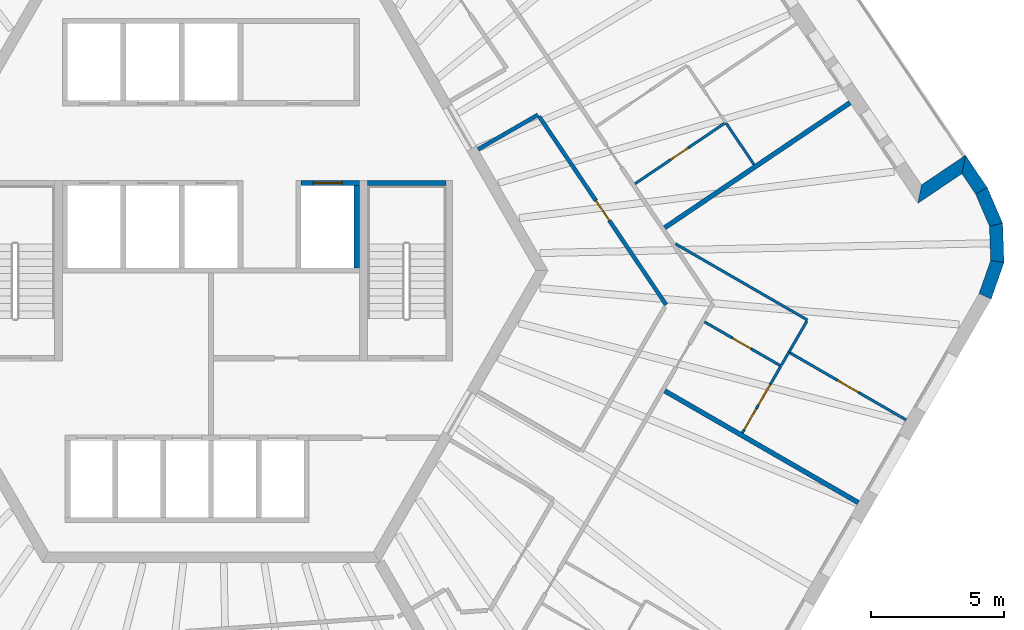
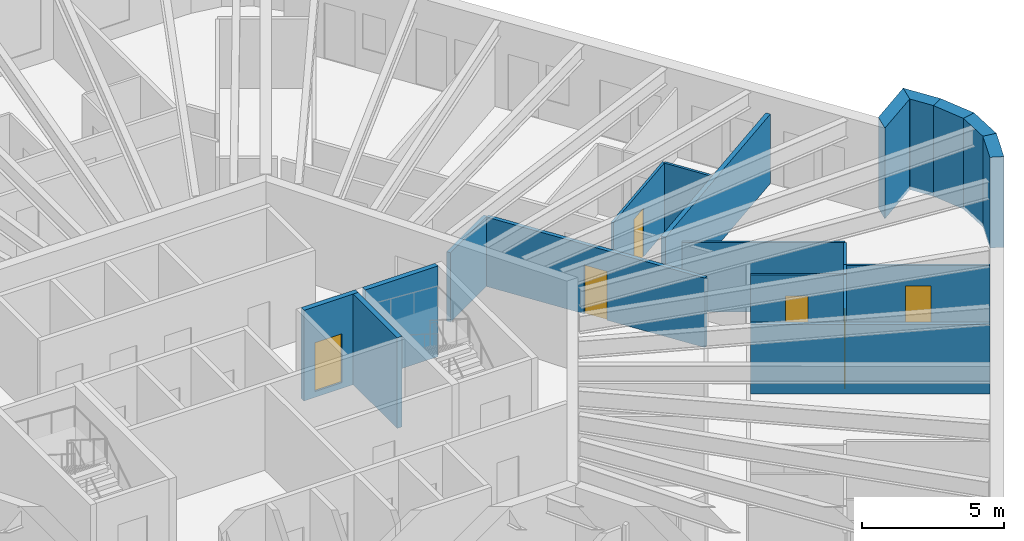
# One storey, part 7 of 12: 20 walls, 7 doors, 7 openings.
"""IFC4 building model written with IfcOpenShell, lengths in metres."""

from ifc_helpers import new_model, si_unit, direction, frame, frame_2d, origin, place, context, subcontext, project, spatial, polyline, rectangle, outline, extrude, material, layer, layer_set, type_object, element, fill, save


model = new_model("IFC4")

# Units and contexts
model_context = context("Model", 3, precision=1e-05, world=origin(), true_north=direction((0.0, 1.0)))
body_context = subcontext(model_context, "Body", "Model", "MODEL_VIEW")
ifc_project = project(units=[si_unit("LENGTHUNIT", "METRE"), si_unit("AREAUNIT", "SQUARE_METRE"), si_unit("VOLUMEUNIT", "CUBIC_METRE"), si_unit("PLANEANGLEUNIT", "RADIAN"), si_unit("MASSUNIT", "GRAM", prefix="KILO")], contexts=[model_context])

# Site, building, storey
site_placement = place(None, origin())
site = spatial("IfcSite", under=ifc_project, at=site_placement, CompositionType="ELEMENT")
building_placement = place(site_placement, origin())
building = spatial("IfcBuilding", under=site, at=building_placement, Name="Tarnside Tower", CompositionType="ELEMENT")
storey_placement = place(building_placement, frame((0.0, 0.0, 299.10009765625)))
storey = spatial("IfcBuildingStorey", under=building, at=storey_placement, Name="L72", CompositionType="ELEMENT", Elevation=299.10009765625)

# Walls
ifc_material_1 = material(Name="Gypsum board partition on steel studs", Category="steel")
ifc_layer_1 = layer(ifc_material_1, 0.10009765625)
ifc_layer_set_1 = layer_set([ifc_layer_1], Name="Bathroom wall 100")
wall_type_1 = type_object("IfcWallType", Name="Bathroom wall 100", PredefinedType="PARTITIONING", material=ifc_layer_set_1)
wall_1_placement = place(storey_placement, frame((17.50390625, 1.0078125, 0.0), z_axis=(0.0, 0.0, 1.0), x_axis=(0.866022112445, -0.500005700723, 0.0)))
element("IfcWall", 1, at=wall_1_placement, inside=storey, type_object=wall_type_1, Name="Bathroom wall 23149", PredefinedType="PARTITIONING", context=body_context, shape_type="SweptSolid", body=[
    extrude(rectangle(XDim=5.7451171875, YDim=0.10009765625, at=frame_2d((2.87255859375, 0.0))), origin(), (0.0, 0.0, 1.0), 2.98779296875),
])
wall_2_placement = place(storey_placement, frame((22.454345703125, -1.907958984375, 0.0), z_axis=(0.0, 0.0, 1.0), x_axis=(-0.500003806764, -0.866023205937, 0.0)))
element("IfcWall", 2, at=wall_2_placement, inside=storey, type_object=wall_type_1, Name="Bathroom wall 23150", PredefinedType="PARTITIONING", context=body_context, shape_type="SweptSolid", body=[
    extrude(rectangle(XDim=1.35205078125, YDim=0.10009765625, at=frame_2d((0.676025390625, 0.0))), origin(), (0.0, 0.0, 1.0), 2.98779296875),
])

# Wall, opening, door
wall_3_placement = place(storey_placement, frame((21.479248046875, -3.5966796875, 0.0), z_axis=(0.0, 0.0, 1.0), x_axis=(-0.866033959199, 0.499985181294, 0.0)))
wall_3 = element("IfcWall", 3, at=wall_3_placement, inside=storey, type_object=wall_type_1, Name="Bathroom wall 23154", PredefinedType="PARTITIONING", context=body_context, shape_type="SweptSolid", body=[
    extrude(rectangle(XDim=3.32470703125, YDim=0.10009765625, at=frame_2d((1.662353515625, 0.0))), origin(), (0.0, 0.0, 1.0), 2.98779296875),
])
opening_1_placement = place(wall_3_placement, frame((1.300048828125, 0.0, 0.0)))
opening_1 = element("IfcOpeningElement", 4, at=opening_1_placement, cuts=wall_3, Name="Opening D-B1", PredefinedType="OPENING", context=body_context, shape_type="SweptSolid", body=[
    extrude(rectangle(XDim=0.800048828125, YDim=2.10009765625, at=frame_2d((0.39990234375, 1.050048828125))), frame((0.0, 0.06005859375, 0.0), z_axis=(0.0, -1.0, 0.0), x_axis=(1.0, 0.0, 0.0)), (0.0, 0.0, 1.0), 0.1201171875),
])
ifc_material_2 = material(Name="Timber door leaf", Category="wood")
door_type_1 = type_object("IfcDoorType", Name="Bathroom door 800", OperationType="NOTDEFINED", PredefinedType="DOOR", material=ifc_material_2)
door_1_placement = place(opening_1_placement, origin())
door_1 = element("IfcDoor", 5, at=door_1_placement, inside=storey, type_object=door_type_1, Name="Bathroom door 23047", OperationType="SINGLE_SWING_LEFT", OverallHeight=2.10009765625, OverallWidth=0.800048828125, PredefinedType="DOOR", context=body_context, shape_type="SweptSolid", body=[
    extrude(rectangle(XDim=0.800048828125, YDim=2.10009765625, at=frame_2d((0.39990234375, 1.050048828125))), frame((0.0, 0.02490234375, 0.0), z_axis=(0.0, -1.0, 0.0), x_axis=(1.0, 0.0, 0.0)), (0.0, 0.0, 1.0), 0.050048828125),
])
fill(opening_1, door_1)

# Wall
wall_4_placement = place(storey_placement, frame((21.50341796875, -3.55517578125, 0.0), z_axis=(0.0, 0.0, 1.0), x_axis=(0.499850094852, 0.866111934265, 0.0)))
element("IfcWall", 6, at=wall_4_placement, inside=storey, type_object=wall_type_1, Name="Bathroom wall 23156", PredefinedType="PARTITIONING", context=body_context, shape_type="SweptSolid", body=[
    extrude(rectangle(XDim=0.552001953125, YDim=0.10009765625, at=frame_2d((0.27587890625, 0.0))), origin(), (0.0, 0.0, 1.0), 2.98779296875),
])

# Wall, opening, door
wall_5_placement = place(storey_placement, frame((15.978515625, 3.269287109375, 0.0), z_axis=(0.0, 0.0, 1.0), x_axis=(0.829051710838, 0.559171942033, 0.0)))
wall_5 = element("IfcWall", 7, at=wall_5_placement, inside=storey, type_object=wall_type_1, Name="Bathroom wall 23161", PredefinedType="PARTITIONING", context=body_context, shape_type="SweptSolid", body=[
    extrude(rectangle(XDim=4.125, YDim=0.10009765625, at=frame_2d((2.0625, 0.0))), origin(), (0.0, 0.0, 1.0), 2.98779296875),
])
opening_2_placement = place(wall_5_placement, frame((1.625, 0.0, 0.0)))
opening_2 = element("IfcOpeningElement", 8, at=opening_2_placement, cuts=wall_5, Name="Opening D-B1", PredefinedType="OPENING", context=body_context, shape_type="SweptSolid", body=[
    extrude(rectangle(XDim=0.800048828125, YDim=2.10009765625, at=frame_2d((0.39990234375, 1.050048828125))), frame((0.0, 0.06005859375, 0.0), z_axis=(0.0, -1.0, 0.0), x_axis=(1.0, 0.0, 0.0)), (0.0, 0.0, 1.0), 0.1201171875),
])
door_2_placement = place(opening_2_placement, origin())
door_2 = element("IfcDoor", 9, at=door_2_placement, inside=storey, type_object=door_type_1, Name="Bathroom door 23052", OperationType="SINGLE_SWING_RIGHT", OverallHeight=2.10009765625, OverallWidth=0.800048828125, PredefinedType="DOOR", context=body_context, shape_type="SweptSolid", body=[
    extrude(rectangle(XDim=0.800048828125, YDim=2.10009765625, at=frame_2d((0.39990234375, 1.050048828125))), frame((0.0, 0.02490234375, 0.0), z_axis=(0.0, -1.0, 0.0), x_axis=(1.0, 0.0, 0.0)), (0.0, 0.0, 1.0), 0.050048828125),
])
fill(opening_2, door_2)

# Walls
wall_6_placement = place(storey_placement, frame((20.46630859375, 3.992431640625, 0.0), z_axis=(0.0, 0.0, 1.0), x_axis=(-0.559110227504, 0.829093332201, 0.0)))
element("IfcWall", 10, at=wall_6_placement, inside=storey, type_object=wall_type_1, Name="Bathroom wall 23163", PredefinedType="PARTITIONING", context=body_context, shape_type="SweptSolid", body=[
    extrude(rectangle(XDim=1.86181640625, YDim=0.10009765625, at=frame_2d((0.930908203125, 0.0))), origin(), (0.0, 0.0, 1.0), 2.98779296875),
])
ifc_layer_2 = layer(ifc_material_1, 0.14990234375)
ifc_layer_set_2 = layer_set([ifc_layer_2], Name="Corridor wall 150 EI 60")
wall_type_2 = type_object("IfcWallType", Name="Corridor wall 150 EI 60", PredefinedType="PARTITIONING", material=ifc_layer_set_2)
wall_7_placement = place(storey_placement, frame((10.065673828125, 4.565673828125, 0.0), z_axis=(0.0, 0.0, 1.0), x_axis=(0.866034402474, 0.499984413489, 0.0)))
element("IfcWall", 11, at=wall_7_placement, inside=storey, type_object=wall_type_2, Name="Corridor wall 23069", PredefinedType="PARTITIONING", context=body_context, shape_type="SweptSolid", body=[
    extrude(rectangle(XDim=2.6083984375, YDim=0.14990234375, at=frame_2d((1.30419921875, 0.0))), origin(), (0.0, 0.0, 1.0), 2.98779296875),
])

# Wall, opening, door
wall_8_placement = place(storey_placement, frame((12.36669921875, 5.8076171875, 0.0), z_axis=(0.0, 0.0, 1.0), x_axis=(0.559187256666, -0.829041381345, 0.0)))
wall_8 = element("IfcWall", 12, at=wall_8_placement, inside=storey, type_object=wall_type_2, Name="Corridor wall 23070", PredefinedType="PARTITIONING", context=body_context, shape_type="SweptSolid", body=[
    extrude(rectangle(XDim=8.560302734375, YDim=0.14990234375, at=frame_2d((4.2802734375, 0.0))), origin(), (0.0, 0.0, 1.0), 2.98779296875),
])
opening_3_placement = place(wall_8_placement, frame((3.830078125, 0.0, 0.0)))
opening_3 = element("IfcOpeningElement", 13, at=opening_3_placement, cuts=wall_8, Name="Opening D-S1", PredefinedType="OPENING", context=body_context, shape_type="SweptSolid", body=[
    extrude(rectangle(XDim=0.89990234375, YDim=2.10009765625, at=frame_2d((0.449951171875, 1.050048828125))), frame((0.0, 0.0849609375, 0.0), z_axis=(0.0, -1.0, 0.0), x_axis=(1.0, 0.0, 0.0)), (0.0, 0.0, 1.0), 0.169921875),
])
door_type_2 = type_object("IfcDoorType", Name="Service room door 900 FD30S", OperationType="NOTDEFINED", PredefinedType="DOOR", material=ifc_material_2)
door_3_placement = place(opening_3_placement, origin())
door_3 = element("IfcDoor", 14, at=door_3_placement, inside=storey, type_object=door_type_2, Name="Service door 23062", OperationType="SINGLE_SWING_RIGHT", OverallHeight=2.10009765625, OverallWidth=0.89990234375, PredefinedType="DOOR", context=body_context, shape_type="SweptSolid", body=[
    extrude(rectangle(XDim=0.89990234375, YDim=2.10009765625, at=frame_2d((0.449951171875, 1.050048828125))), frame((0.0, 0.02490234375, 0.0), z_axis=(0.0, -1.0, 0.0), x_axis=(1.0, 0.0, 0.0)), (0.0, 0.0, 1.0), 0.050048828125),
])
fill(opening_3, door_3)

# Walls
ifc_layer_3 = layer(ifc_material_1, 0.179931640625)
ifc_layer_set_3 = layer_set([ifc_layer_3], Name="Demising wall 180 EI 60")
wall_type_3 = type_object("IfcWallType", Name="Demising wall 180 EI 60", PredefinedType="PARTITIONING", material=ifc_layer_set_3)
for number, where, z_axis, x_axis, name in (
    (15, (24.39599609375, -8.744873046875, 0.0), (0.0, 0.0, 1.0), (-0.866014270972, 0.500019282102, 0.0), "Demising wall 23142"),
    (16, (24.08154296875, 6.322509765625, 0.0), (0.0, 0.0, 1.0), (-0.829037762759, -0.559192621481, 0.0), "Demising wall 23152"),
):
    element("IfcWall", number, at=place(storey_placement, frame(where, z_axis=z_axis, x_axis=x_axis)), inside=storey, type_object=wall_type_3, Name=name, PredefinedType="PARTITIONING", context=body_context, shape_type="SweptSolid", body=[
        extrude(rectangle(XDim=8.425048828125, YDim=0.179931640625, at=frame_2d((4.21240234375, 0.0))), origin(), (0.0, 0.0, 1.0), 2.98779296875),
    ])

# Wall, opening, door
ifc_material_3 = material(Name="Concrete C40/50", Category="concrete")
ifc_layer_4 = layer(ifc_material_3, 0.199951171875)
ifc_layer_set_4 = layer_set([ifc_layer_4], Name="Lift shaft wall 200 C40/50")
wall_type_4 = type_object("IfcWallType", Name="Lift shaft wall 200 C40/50", PredefinedType="SHEAR", material=ifc_layer_set_4)
wall_9_placement = place(storey_placement, frame((3.39990234375, 3.300048828125, -0.25), z_axis=(0.0, 0.0, 1.0), x_axis=(1.0, 0.0, 0.0)))
wall_9 = element("IfcWall", 17, at=wall_9_placement, inside=storey, type_object=wall_type_4, Name="L72 lift shaft front wall R2 2", PredefinedType="SHEAR", context=body_context, shape_type="SweptSolid", body=[
    extrude(rectangle(XDim=2.2001953125, YDim=0.199951171875, at=frame_2d((1.10009765625, 0.0))), origin(), (0.0, 0.0, 1.0), 3.89990234375),
])
opening_4_placement = place(wall_9_placement, frame((0.449951171875, 0.0, 0.25)))
opening_4 = element("IfcOpeningElement", 18, at=opening_4_placement, cuts=wall_9, Name="Opening LD", PredefinedType="OPENING", context=body_context, shape_type="SweptSolid", body=[
    extrude(rectangle(XDim=1.10009765625, YDim=2.10009765625, at=frame_2d((0.550048828125, 1.050048828125))), frame((0.0, 0.10986328125, 0.0), z_axis=(0.0, -1.0, 0.0), x_axis=(1.0, 0.0, 0.0)), (0.0, 0.0, 1.0), 0.219970703125),
])
ifc_material_4 = material(Name="Stainless steel", Category="steel")
door_type_3 = type_object("IfcDoorType", Name="Lift landing door 1100x2100", OperationType="NOTDEFINED", PredefinedType="DOOR", material=ifc_material_4)
door_4_placement = place(opening_4_placement, origin())
door_4 = element("IfcDoor", 19, at=door_4_placement, inside=storey, type_object=door_type_3, Name="Express sky-lobby shuttle 2 landing door L72", OperationType="SLIDING_TO_LEFT", OverallHeight=2.10009765625, OverallWidth=1.10009765625, PredefinedType="DOOR", context=body_context, shape_type="SweptSolid", body=[
    extrude(rectangle(XDim=1.10009765625, YDim=2.10009765625, at=frame_2d((0.550048828125, 1.050048828125))), frame((0.0, 0.02490234375, 0.0), z_axis=(0.0, -1.0, 0.0), x_axis=(1.0, 0.0, 0.0)), (0.0, 0.0, 1.0), 0.050048828125),
])
fill(opening_4, door_4)

# Walls
wall_10_placement = place(storey_placement, frame((5.5, 0.10009765625, -0.25), z_axis=(0.0, 0.0, 1.0), x_axis=(0.0, 1.0, 0.0)))
element("IfcWall", 20, at=wall_10_placement, inside=storey, type_object=wall_type_4, Name="L72 lift shaft partition R26", PredefinedType="SHEAR", context=body_context, shape_type="SweptSolid", body=[
    extrude(rectangle(XDim=3.099853515625, YDim=0.199951171875, at=frame_2d((1.5498046875, 0.0))), origin(), (0.0, 0.0, 1.0), 3.89990234375),
])
wall_11_placement = place(storey_placement, frame((5.89990234375, 3.300048828125, -0.25), z_axis=(0.0, 0.0, 1.0), x_axis=(1.0, 0.0, 0.0)))
element("IfcWall", 21, at=wall_11_placement, inside=storey, type_object=wall_type_4, Name="L72 stair 1 enclosure cap wall n", PredefinedType="SHEAR", context=body_context, shape_type="SweptSolid", body=[
    extrude(rectangle(XDim=2.9501953125, YDim=0.199951171875, at=frame_2d((1.47509765625, 0.0))), origin(), (0.0, 0.0, 1.0), 3.89990234375),
])
ifc_material_5 = material(Name="Dark zinc cladding")
ifc_layer_5 = layer(ifc_material_5, 0.10205078125)
ifc_material_6 = material(Name="Concrete C60/75 precast", Category="concrete")
ifc_layer_6 = layer(ifc_material_6, 0.298095703125)
ifc_material_7 = material(Name="Mineral wool insulation")
ifc_layer_7 = layer(ifc_material_7, 0.10009765625)
ifc_layer_set_5 = layer_set([ifc_layer_5, ifc_layer_6, ifc_layer_7], Name="Loggia wall 500 zinc faced")
wall_type_5 = type_object("IfcWallType", Name="Loggia wall 500 zinc faced", PredefinedType="SOLIDWALL", material=ifc_layer_set_5)
wall_12_placement = place(storey_placement, frame((29.034912109375, 3.00244140625, -0.150146484375), z_axis=(0.0, 0.0, 1.0), x_axis=(-0.559200218553, 0.829032638423, 0.0)))
element("IfcWall", 22, at=wall_12_placement, inside=storey, type_object=wall_type_5, Name="Tube wall L72 F6 stub 28", PredefinedType="SOLIDWALL", context=body_context, shape_type="SweptSolid", body=[
    extrude(outline(polyline([(-0.0234375, -0.25), (1.44970703125, -0.25), (0.94970703125, 0.25), (0.0234375, 0.25), (-0.0234375, -0.25)])), origin(), (0.0, 0.0, 1.0), 3.900146484375),
])
wall_13_placement = place(storey_placement, frame((28.364013671875, 3.9970703125, -0.150146484375), z_axis=(0.0, 0.0, 1.0), x_axis=(-0.829108975345, -0.5590870299, 0.0)))
element("IfcWall", 23, at=wall_13_placement, inside=storey, type_object=wall_type_5, Name="Tube wall L72 F6 return 29", PredefinedType="SOLIDWALL", context=body_context, shape_type="SweptSolid", body=[
    extrude(outline(polyline([(-0.25, -0.25), (1.75, -0.25), (2.25, 0.25), (0.25, 0.25), (-0.25, -0.25)])), origin(), (0.0, 0.0, 1.0), 3.900146484375),
])

# Wall, opening, door
ifc_layer_8 = layer(ifc_material_1, 0.10009765625)
ifc_layer_set_6 = layer_set([ifc_layer_8], Name="Partition 100")
wall_type_6 = type_object("IfcWallType", Name="Partition 100", PredefinedType="PARTITIONING", material=ifc_layer_set_6)
wall_14_placement = place(storey_placement, frame((21.822509765625, -3.10205078125, 0.0), z_axis=(0.0, 0.0, 1.0), x_axis=(0.866018134068, -0.500012591307, 0.0)))
wall_14 = element("IfcWall", 24, at=wall_14_placement, inside=storey, type_object=wall_type_6, Name="Partition wall 23151", PredefinedType="PARTITIONING", context=body_context, shape_type="SweptSolid", body=[
    extrude(rectangle(XDim=5.050048828125, YDim=0.10009765625, at=frame_2d((2.52490234375, 0.0))), origin(), (0.0, 0.0, 1.0), 2.98779296875),
])
opening_5_placement = place(wall_14_placement, frame((2.074951171875, 0.0, 0.0)))
opening_5 = element("IfcOpeningElement", 25, at=opening_5_placement, cuts=wall_14, Name="Opening D-I1", PredefinedType="OPENING", context=body_context, shape_type="SweptSolid", body=[
    extrude(rectangle(XDim=0.89990234375, YDim=2.10009765625, at=frame_2d((0.449951171875, 1.050048828125))), frame((0.0, 0.06005859375, 0.0), z_axis=(0.0, -1.0, 0.0), x_axis=(1.0, 0.0, 0.0)), (0.0, 0.0, 1.0), 0.1201171875),
])
door_type_4 = type_object("IfcDoorType", Name="Internal door 900", OperationType="NOTDEFINED", PredefinedType="DOOR", material=ifc_material_2)
door_5_placement = place(opening_5_placement, origin())
door_5 = element("IfcDoor", 26, at=door_5_placement, inside=storey, type_object=door_type_4, Name="Internal door 23057", OperationType="SINGLE_SWING_RIGHT", OverallHeight=2.10009765625, OverallWidth=0.89990234375, PredefinedType="DOOR", context=body_context, shape_type="SweptSolid", body=[
    extrude(rectangle(XDim=0.89990234375, YDim=2.10009765625, at=frame_2d((0.449951171875, 1.050048828125))), frame((0.0, 0.02490234375, 0.0), z_axis=(0.0, -1.0, 0.0), x_axis=(1.0, 0.0, 0.0)), (0.0, 0.0, 1.0), 0.050048828125),
])
fill(opening_5, door_5)

# Wall, openings, doors
wall_15_placement = place(storey_placement, frame((20.0244140625, -6.116943359375, 0.0), z_axis=(0.0, 0.0, 1.0), x_axis=(0.499935340648, 0.866062731661, 0.0)))
wall_15 = element("IfcWall", 27, at=wall_15_placement, inside=storey, type_object=wall_type_6, Name="Partition wall 23155", PredefinedType="PARTITIONING", context=body_context, shape_type="SweptSolid", body=[
    extrude(rectangle(XDim=2.912109375, YDim=0.10009765625, at=frame_2d((1.4560546875, 0.0))), origin(), (0.0, 0.0, 1.0), 2.98779296875),
])
opening_6_placement = place(wall_15_placement, frame((0.14990234375, 0.0, 0.0)))
opening_6 = element("IfcOpeningElement", 28, at=opening_6_placement, cuts=wall_15, Name="Opening D-I1", PredefinedType="OPENING", context=body_context, shape_type="SweptSolid", body=[
    extrude(rectangle(XDim=0.89990234375, YDim=2.10009765625, at=frame_2d((0.449951171875, 1.050048828125))), frame((0.0, 0.06005859375, 0.0), z_axis=(0.0, -1.0, 0.0), x_axis=(1.0, 0.0, 0.0)), (0.0, 0.0, 1.0), 0.1201171875),
])
opening_7_placement = place(wall_15_placement, frame((1.2099609375, 0.0, 0.0)))
opening_7 = element("IfcOpeningElement", 29, at=opening_7_placement, cuts=wall_15, Name="Opening D-I1", PredefinedType="OPENING", context=body_context, shape_type="SweptSolid", body=[
    extrude(rectangle(XDim=0.89990234375, YDim=2.10009765625, at=frame_2d((0.449951171875, 1.050048828125))), frame((0.0, 0.06005859375, 0.0), z_axis=(0.0, -1.0, 0.0), x_axis=(1.0, 0.0, 0.0)), (0.0, 0.0, 1.0), 0.1201171875),
])
door_6_placement = place(opening_6_placement, origin())
door_6 = element("IfcDoor", 30, at=door_6_placement, inside=storey, type_object=door_type_4, Name="Internal door 23049", OperationType="SINGLE_SWING_LEFT", OverallHeight=2.10009765625, OverallWidth=0.89990234375, PredefinedType="DOOR", context=body_context, shape_type="SweptSolid", body=[
    extrude(rectangle(XDim=0.89990234375, YDim=2.10009765625, at=frame_2d((0.449951171875, 1.050048828125))), frame((0.0, 0.02490234375, 0.0), z_axis=(0.0, -1.0, 0.0), x_axis=(1.0, 0.0, 0.0)), (0.0, 0.0, 1.0), 0.050048828125),
])
fill(opening_6, door_6)
door_7_placement = place(opening_7_placement, origin())
door_7 = element("IfcDoor", 31, at=door_7_placement, inside=storey, type_object=door_type_4, Name="Internal door 23050", OperationType="SINGLE_SWING_LEFT", OverallHeight=2.10009765625, OverallWidth=0.89990234375, PredefinedType="DOOR", context=body_context, shape_type="SweptSolid", body=[
    extrude(rectangle(XDim=0.89990234375, YDim=2.10009765625, at=frame_2d((0.449951171875, 1.050048828125))), frame((0.0, 0.02490234375, 0.0), z_axis=(0.0, -1.0, 0.0), x_axis=(1.0, 0.0, 0.0)), (0.0, 0.0, 1.0), 0.050048828125),
])
fill(opening_7, door_7)

# Walls
ifc_material_8 = material(Name="Facing brick", Category="masonry")
ifc_layer_9 = layer(ifc_material_8, 0.10205078125)
ifc_layer_10 = layer(ifc_material_6, 0.298095703125)
ifc_layer_11 = layer(ifc_material_7, 0.10009765625)
ifc_layer_set_7 = layer_set([ifc_layer_9, ifc_layer_10, ifc_layer_11], Name="Tube wall 500 brick faced")
wall_type_7 = type_object("IfcWallType", Name="Tube wall 500 brick faced", PredefinedType="SOLIDWALL", material=ifc_layer_set_7)
wall_16_placement = place(storey_placement, frame((29.173828125, -0.9697265625, -0.150146484375), z_axis=(0.0, 0.0, 1.0), x_axis=(0.330961348063, 0.943644311215, 0.0)))
element("IfcWall", 32, at=wall_16_placement, inside=storey, type_object=wall_type_7, Name="Tube wall L72 F5 chord 25", PredefinedType="SOLIDWALL", context=body_context, shape_type="SweptSolid", body=[
    extrude(outline(polyline([(-0.0234375, -0.25), (1.435302734375, -0.25), (1.341064453125, 0.25), (0.0234375, 0.25), (-0.0234375, -0.25)])), origin(), (0.0, 0.0, 1.0), 3.900146484375),
])
wall_17_placement = place(storey_placement, frame((29.63330078125, 0.34033203125, -0.150146484375), z_axis=(0.0, 0.0, 1.0), x_axis=(-0.034825746769, 0.999393399699, 0.0)))
element("IfcWall", 33, at=wall_17_placement, inside=storey, type_object=wall_type_7, Name="Tube wall L72 F5 chord 26", PredefinedType="SOLIDWALL", context=body_context, shape_type="SweptSolid", body=[
    extrude(outline(polyline([(-0.047119140625, -0.25), (1.43505859375, -0.25), (1.3408203125, 0.25), (0.047119140625, 0.25), (-0.047119140625, -0.25)])), origin(), (0.0, 0.0, 1.0), 3.900146484375),
])
wall_18_placement = place(storey_placement, frame((29.5849609375, 1.7275390625, -0.150146484375), z_axis=(0.0, 0.0, 1.0), x_axis=(-0.396146339195, 0.918187387162, 0.0)))
element("IfcWall", 34, at=wall_18_placement, inside=storey, type_object=wall_type_7, Name="Tube wall L72 F5 chord 27", PredefinedType="SOLIDWALL", context=body_context, shape_type="SweptSolid", body=[
    extrude(outline(polyline([(-0.047119140625, -0.25), (1.411865234375, -0.25), (1.364990234375, 0.25), (0.047119140625, 0.25), (-0.047119140625, -0.25)])), origin(), (0.0, 0.0, 1.0), 3.900146484375),
])

save(model, "model.ifc")
